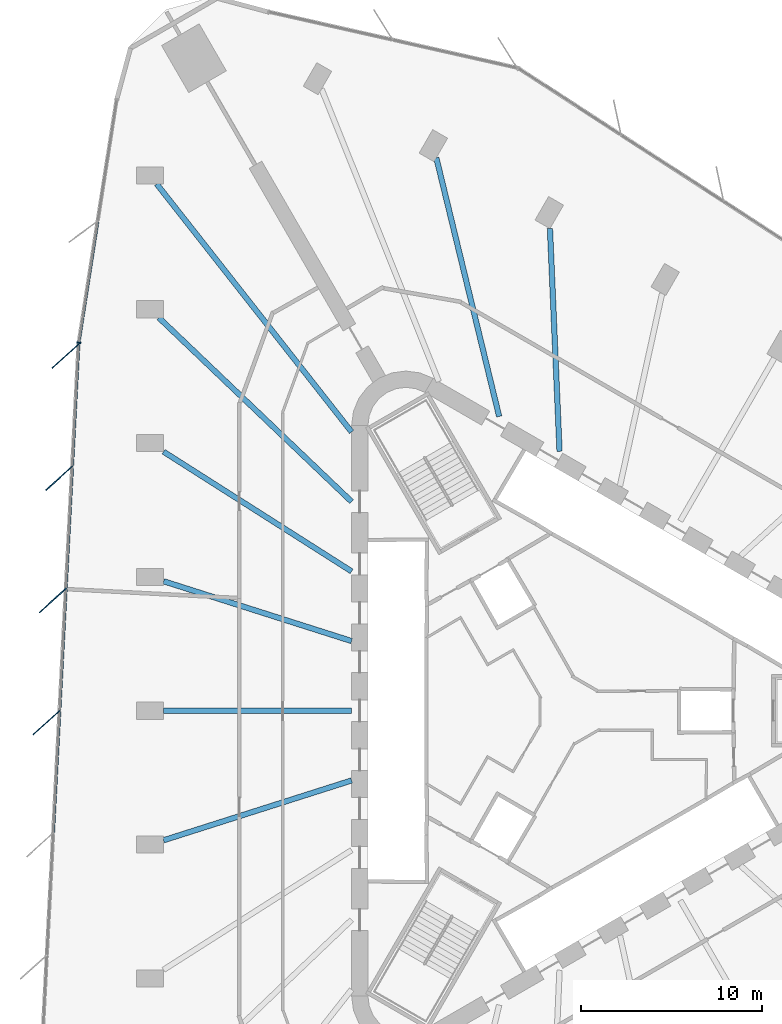
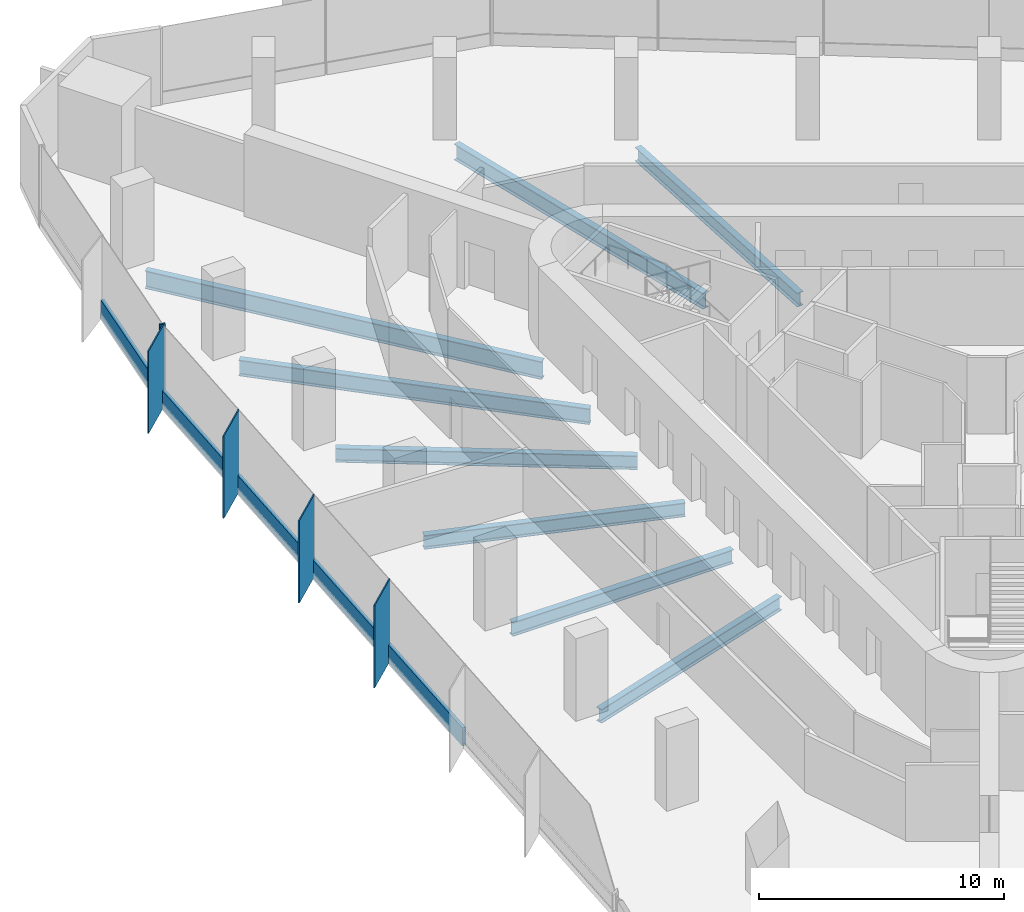
# One storey, part 4 of 14: 10 members, 8 beams, 2 elements without a shape of their own.
"""IFC4 building model written with IfcOpenShell, lengths in metres."""

from ifc_helpers import new_model, si_unit, direction, frame, origin, origin_2d, place, context, subcontext, project, spatial, rectangle, i_section, extrude, material, material_profile, profile_set, type_object, element, aggregate, save


model = new_model("IFC4")

# Units and contexts
model_context = context("Model", 3, precision=1e-05, world=origin(), true_north=direction((0.0, 1.0)))
body_context = subcontext(model_context, "Body", "Model", "MODEL_VIEW")
ifc_project = project(units=[si_unit("LENGTHUNIT", "METRE"), si_unit("AREAUNIT", "SQUARE_METRE"), si_unit("VOLUMEUNIT", "CUBIC_METRE"), si_unit("PLANEANGLEUNIT", "RADIAN"), si_unit("MASSUNIT", "GRAM", prefix="KILO")], contexts=[model_context])

# Site, building, storey
site_placement = place(None, origin())
site = spatial("IfcSite", under=ifc_project, at=site_placement, CompositionType="ELEMENT")
building_placement = place(site_placement, origin())
building = spatial("IfcBuilding", under=site, at=building_placement, Name="Tanit Gate Tower", CompositionType="ELEMENT")
storey_placement = place(building_placement, frame((0.0, 0.0, 78.300048828125)))
storey = spatial("IfcBuildingStorey", under=building, at=storey_placement, Name="L15", CompositionType="ELEMENT", Elevation=78.300048828125)

# Curtain wall, members
ifc_material_1 = material(Name="Aluminium bronze anodised and glass", Category="aluminium")
curtain_wall_type = type_object("IfcCurtainWallType", Name="Curtain wall typical low", PredefinedType="NOTDEFINED", material=ifc_material_1)
curtain_wall_1_placement = place(storey_placement, origin())
curtain_wall_1 = element("IfcCurtainWall", 1, at=curtain_wall_1_placement, inside=storey, type_object=curtain_wall_type, Name="Curtain wall L15 W2", PredefinedType="NOTDEFINED")
ifc_material_2 = material(Name="Aluminium bronze anodised", Category="aluminium")
ifc_material_profile_1 = material_profile(ifc_material_2, rectangle(XDim=2.0, YDim=0.055908203125, at=origin_2d()), Name="56x2000 bronze fin mullion")
ifc_profile_set_1 = profile_set([ifc_material_profile_1], Name="Aluminium bronze anodised")
member_type_1 = type_object("IfcMemberType", Name="FIN MULLION 56x2000 bronze", PredefinedType="MULLION", material=ifc_profile_set_1)
member_1_placement = place(storey_placement, frame((-27.902587890625, 19.58984375, -0.300048828125), z_axis=(0.0, 0.0, 1.0), x_axis=(0.742829073656, 0.66948111798, 0.0)))
member_1 = element("IfcMember", 2, at=member_1_placement, type_object=member_type_1, Name="Fin mullion L15 W2.1", PredefinedType="MULLION", context=body_context, shape_type="SweptSolid", body=[
    extrude(rectangle(XDim=2.0, YDim=0.055908203125, at=origin_2d()), origin(), (0.0, 0.0, 1.0), 4.10009765625),
])
member_2_placement = place(storey_placement, frame((-28.253173828125, 12.84228515625, -0.300048828125), z_axis=(0.0, 0.0, 1.0), x_axis=(0.742829073656, 0.66948111798, 0.0)))
member_2 = element("IfcMember", 3, at=member_2_placement, type_object=member_type_1, Name="Fin mullion L15 W2.2", PredefinedType="MULLION", context=body_context, shape_type="SweptSolid", body=[
    extrude(rectangle(XDim=2.0, YDim=0.055908203125, at=origin_2d()), origin(), (0.0, 0.0, 1.0), 4.10009765625),
])
member_3_placement = place(storey_placement, frame((-28.603515625, 6.0947265625, -0.300048828125), z_axis=(0.0, 0.0, 1.0), x_axis=(0.742829073656, 0.66948111798, 0.0)))
member_3 = element("IfcMember", 4, at=member_3_placement, type_object=member_type_1, Name="Fin mullion L15 W2.3", PredefinedType="MULLION", context=body_context, shape_type="SweptSolid", body=[
    extrude(rectangle(XDim=2.0, YDim=0.055908203125, at=origin_2d()), origin(), (0.0, 0.0, 1.0), 4.10009765625),
])
member_4_placement = place(storey_placement, frame((-28.953857421875, -0.65283203125, -0.300048828125), z_axis=(0.0, 0.0, 1.0), x_axis=(0.742829073656, 0.66948111798, 0.0)))
member_4 = element("IfcMember", 5, at=member_4_placement, type_object=member_type_1, Name="Fin mullion L15 W2.4", PredefinedType="MULLION", context=body_context, shape_type="SweptSolid", body=[
    extrude(rectangle(XDim=2.0, YDim=0.055908203125, at=origin_2d()), origin(), (0.0, 0.0, 1.0), 4.10009765625),
])

# Curtain wall, member
curtain_wall_2_placement = place(storey_placement, origin())
curtain_wall_2 = element("IfcCurtainWall", 6, at=curtain_wall_2_placement, inside=storey, type_object=curtain_wall_type, Name="Curtain wall L15 W1", PredefinedType="NOTDEFINED")
ifc_material_3 = material(Name="Aluminium bronze anodised", Category="aluminium")
ifc_material_profile_2 = material_profile(ifc_material_3, rectangle(XDim=0.239990234375, YDim=0.080078125, at=origin_2d()), Name="80x240 bronze mullion")
ifc_profile_set_2 = profile_set([ifc_material_profile_2], Name="Aluminium bronze anodised")
member_type_2 = type_object("IfcMemberType", Name="Mullion 80x240 typical low", PredefinedType="MULLION", material=ifc_profile_set_2)
member_5_placement = place(storey_placement, frame((-27.16845703125, 20.32373046875, -0.300048828125), z_axis=(0.0, 0.0, 1.0), x_axis=(0.988076704336, -0.153962418624, 0.0)))
member_5 = element("IfcMember", 7, at=member_5_placement, type_object=member_type_2, Name="Mullion L15 W1.3", PredefinedType="MULLION", context=body_context, shape_type="SweptSolid", body=[
    extrude(rectangle(XDim=0.239990234375, YDim=0.080078125, at=origin_2d()), origin(), (0.0, 0.0, 1.0), 4.10009765625),
])

# Beams
ifc_material_4 = material(Name="Steel S355", Category="steel")
ifc_material_profile_3 = material_profile(ifc_material_4, i_section(OverallWidth=0.300048828125, OverallDepth=0.68994140625, WebThickness=0.014404296875, FlangeThickness=0.027099609375, FilletRadius=0.027099609375, at=origin_2d()), Name="HEA 700")
ifc_profile_set_3 = profile_set([ifc_material_profile_3], Name="Steel S355")
beam_type_1 = type_object("IfcBeamType", Name="RADIAL GIRDER HEA 700 S355", PredefinedType="BEAM", material=ifc_profile_set_3)
beam_1_placement = place(storey_placement, frame((-22.485595703125, -7.15283203125, -0.64501953125), z_axis=(0.952942551403, 0.303150942148, 0.0), x_axis=(-0.303150942148, 0.952942551403, 0.0)))
element("IfcBeam", 8, at=beam_1_placement, inside=storey, type_object=beam_type_1, Name="RADIAL GIRDER", PredefinedType="BEAM", context=body_context, shape_type="SweptSolid", body=[
    extrude(i_section(OverallWidth=0.300048828125, OverallDepth=0.68994140625, WebThickness=0.014404296875, FlangeThickness=0.027099609375, FilletRadius=0.027099609375, at=origin_2d()), origin(), (0.0, 0.0, 1.0), 10.896240234375),
])
for number, where, z_axis, x_axis, name in (
    (9, (-1.146484375, 26.6298828125, -0.64501953125), (0.043013806202, -0.999074477942, 0.0), (0.999074477942, 0.043013806202, 0.0), "RADIAL GIRDER"),
    (10, (-22.489013671875, 14.307861328125, -0.64501953125), (0.843716193989, -0.536789515546, 0.0), (0.536789515546, 0.843716193989, 0.0), "RADIAL GIRDER"),
):
    element("IfcBeam", number, at=place(storey_placement, frame(where, z_axis=z_axis, x_axis=x_axis)), inside=storey, type_object=beam_type_1, Name=name, PredefinedType="BEAM", context=body_context, shape_type="SweptSolid", body=[
        extrude(i_section(OverallWidth=0.300048828125, OverallDepth=0.68994140625, WebThickness=0.014404296875, FlangeThickness=0.027099609375, FilletRadius=0.027099609375, at=origin_2d()), origin(), (0.0, 0.0, 1.0), 12.31103515625),
    ])
beam_2_placement = place(storey_placement, frame((-22.485595703125, 7.15283203125, -0.64501953125), z_axis=(0.952942551403, -0.303150942148, 0.0), x_axis=(0.303150942148, 0.952942551403, 0.0)))
element("IfcBeam", 11, at=beam_2_placement, inside=storey, type_object=beam_type_1, Name="RADIAL GIRDER", PredefinedType="BEAM", context=body_context, shape_type="SweptSolid", body=[
    extrude(i_section(OverallWidth=0.300048828125, OverallDepth=0.68994140625, WebThickness=0.014404296875, FlangeThickness=0.027099609375, FilletRadius=0.027099609375, at=origin_2d()), origin(), (0.0, 0.0, 1.0), 10.896240234375),
])
beam_3_placement = place(storey_placement, frame((-22.485595703125, 0.0, -0.64501953125), z_axis=(1.0, 0.0, 0.0), x_axis=(0.0, 1.0, 0.0)))
element("IfcBeam", 12, at=beam_3_placement, inside=storey, type_object=beam_type_1, Name="RADIAL GIRDER", PredefinedType="BEAM", context=body_context, shape_type="SweptSolid", body=[
    extrude(i_section(OverallWidth=0.300048828125, OverallDepth=0.68994140625, WebThickness=0.014404296875, FlangeThickness=0.027099609375, FilletRadius=0.027099609375, at=origin_2d()), origin(), (0.0, 0.0, 1.0), 10.383544921875),
])
ifc_material_5 = material(Name="Steel S355", Category="steel")
ifc_material_profile_4 = material_profile(ifc_material_5, i_section(OverallWidth=0.300048828125, OverallDepth=0.7900390625, WebThickness=0.014892578125, FlangeThickness=0.028076171875, FilletRadius=0.030029296875, at=origin_2d()), Name="HEA 800")
ifc_profile_set_4 = profile_set([ifc_material_profile_4], Name="Steel S355")
beam_type_2 = type_object("IfcBeamType", Name="RADIAL GIRDER HEA 800 S355", PredefinedType="BEAM", material=ifc_profile_set_4)
for number, where, z_axis, x_axis, name in (
    (13, (-7.423095703125, 30.541259765625, -0.695068359375), (0.236169367987, -0.971711906701, 0.0), (0.971711906701, 0.236169367987, 0.0), "RADIAL GIRDER"),
    (14, (-22.738037109375, 21.69921875, -0.695068359375), (0.723444887899, -0.690382136337, 0.0), (0.690382136337, 0.723444887899, 0.0), "RADIAL GIRDER"),
):
    element("IfcBeam", number, at=place(storey_placement, frame(where, z_axis=z_axis, x_axis=x_axis)), inside=storey, type_object=beam_type_2, Name=name, PredefinedType="BEAM", context=body_context, shape_type="SweptSolid", body=[
        extrude(i_section(OverallWidth=0.300048828125, OverallDepth=0.7900390625, WebThickness=0.014892578125, FlangeThickness=0.028076171875, FilletRadius=0.030029296875, at=origin_2d()), origin(), (0.0, 0.0, 1.0), 14.701904296875),
    ])
ifc_material_6 = material(Name="Steel S355", Category="steel")
ifc_material_profile_5 = material_profile(ifc_material_6, i_section(OverallWidth=0.300048828125, OverallDepth=0.889892578125, WebThickness=0.01611328125, FlangeThickness=0.030029296875, FilletRadius=0.030029296875, at=origin_2d()), Name="HEA 900")
ifc_profile_set_5 = profile_set([ifc_material_profile_5], Name="Steel S355")
beam_type_3 = type_object("IfcBeamType", Name="RADIAL GIRDER HEA 900 S355", PredefinedType="BEAM", material=ifc_profile_set_5)
beam_4_placement = place(storey_placement, frame((-22.8623046875, 29.0908203125, -0.7451171875), z_axis=(0.617904516847, -0.786253145024, 0.0), x_axis=(0.786253145024, 0.617904516847, 0.0)))
element("IfcBeam", 15, at=beam_4_placement, inside=storey, type_object=beam_type_3, Name="RADIAL GIRDER", PredefinedType="BEAM", context=body_context, shape_type="SweptSolid", body=[
    extrude(i_section(OverallWidth=0.300048828125, OverallDepth=0.889892578125, WebThickness=0.01611328125, FlangeThickness=0.030029296875, FilletRadius=0.030029296875, at=origin_2d()), origin(), (0.0, 0.0, 1.0), 17.4140625),
])

# Member
ifc_material_7 = material(Name="Aluminium bronze anodised", Category="aluminium")
ifc_material_profile_6 = material_profile(ifc_material_7, rectangle(XDim=0.159912109375, YDim=0.89990234375, at=origin_2d()), Name="160x900 bronze transom")
ifc_profile_set_6 = profile_set([ifc_material_profile_6], Name="Aluminium bronze anodised")
member_type_3 = type_object("IfcMemberType", Name="Transom 160x900 typical low", PredefinedType="USERDEFINED", material=ifc_profile_set_6)
member_6_placement = place(storey_placement, frame((-26.12744140625, 27.00390625, 0.14990234375), z_axis=(-0.153986803013, -0.988072904445, 0.0), x_axis=(0.988072904445, -0.153986803013, 0.0)))
member_6 = element("IfcMember", 16, at=member_6_placement, type_object=member_type_3, Name="Transom L15 W1.2", ObjectType="TRANSOM", PredefinedType="USERDEFINED", context=body_context, shape_type="SweptSolid", body=[
    extrude(rectangle(XDim=0.159912109375, YDim=0.89990234375, at=origin_2d()), origin(), (0.0, 0.0, 1.0), 6.720703125),
])

aggregate(curtain_wall_2, [member_5, member_6])

member_7_placement = place(storey_placement, frame((-27.1787109375, 20.204345703125, 0.14990234375), z_axis=(-0.051850630851, -0.998654851328, 0.0), x_axis=(0.998654851328, -0.051850630851, 0.0)))
member_7 = element("IfcMember", 17, at=member_7_placement, type_object=member_type_3, Name="Transom L15 W2.1", ObjectType="TRANSOM", PredefinedType="USERDEFINED", context=body_context, shape_type="SweptSolid", body=[
    extrude(rectangle(XDim=0.159912109375, YDim=0.89990234375, at=origin_2d()), origin(), (0.0, 0.0, 1.0), 6.6767578125),
])

member_8_placement = place(storey_placement, frame((-27.529052734375, 13.45654296875, 0.14990234375), z_axis=(-0.051887098471, -0.998652957244, 0.0), x_axis=(0.998652957244, -0.051887098471, 0.0)))
member_8 = element("IfcMember", 18, at=member_8_placement, type_object=member_type_3, Name="Transom L15 W2.2", ObjectType="TRANSOM", PredefinedType="USERDEFINED", context=body_context, shape_type="SweptSolid", body=[
    extrude(rectangle(XDim=0.159912109375, YDim=0.89990234375, at=origin_2d()), origin(), (0.0, 0.0, 1.0), 6.6767578125),
])

member_9_placement = place(storey_placement, frame((-27.879638671875, 6.708984375, 0.14990234375), z_axis=(-0.051850630851, -0.998654851328, 0.0), x_axis=(0.998654851328, -0.051850630851, 0.0)))
member_9 = element("IfcMember", 19, at=member_9_placement, type_object=member_type_3, Name="Transom L15 W2.3", ObjectType="TRANSOM", PredefinedType="USERDEFINED", context=body_context, shape_type="SweptSolid", body=[
    extrude(rectangle(XDim=0.159912109375, YDim=0.89990234375, at=origin_2d()), origin(), (0.0, 0.0, 1.0), 6.6767578125),
])

member_10_placement = place(storey_placement, frame((-28.22998046875, -0.03857421875, 0.14990234375), z_axis=(-0.051850630851, -0.998654851328, 0.0), x_axis=(0.998654851328, -0.051850630851, 0.0)))
member_10 = element("IfcMember", 20, at=member_10_placement, type_object=member_type_3, Name="Transom L15 W2.4", ObjectType="TRANSOM", PredefinedType="USERDEFINED", context=body_context, shape_type="SweptSolid", body=[
    extrude(rectangle(XDim=0.159912109375, YDim=0.89990234375, at=origin_2d()), origin(), (0.0, 0.0, 1.0), 6.6767578125),
])

aggregate(curtain_wall_1, [member_1, member_2, member_3, member_4, member_7, member_8, member_9, member_10])

save(model, "model.ifc")
